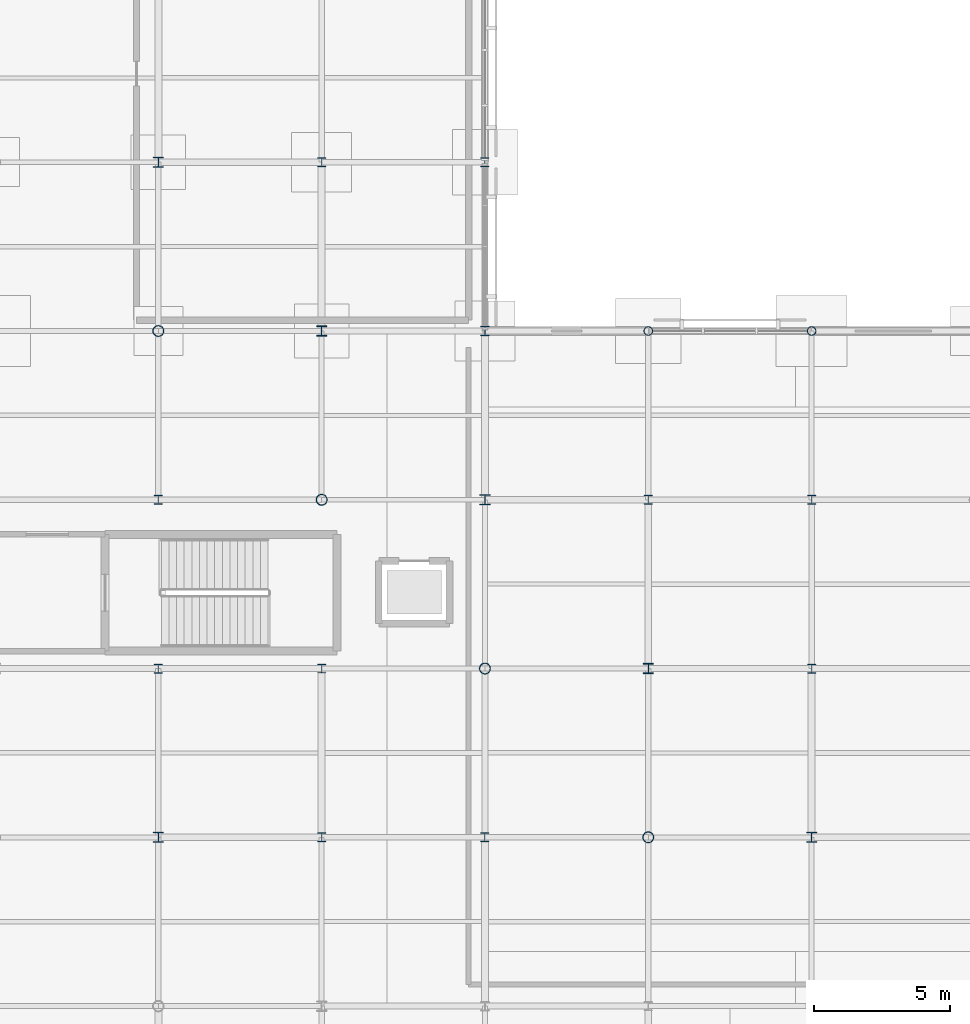
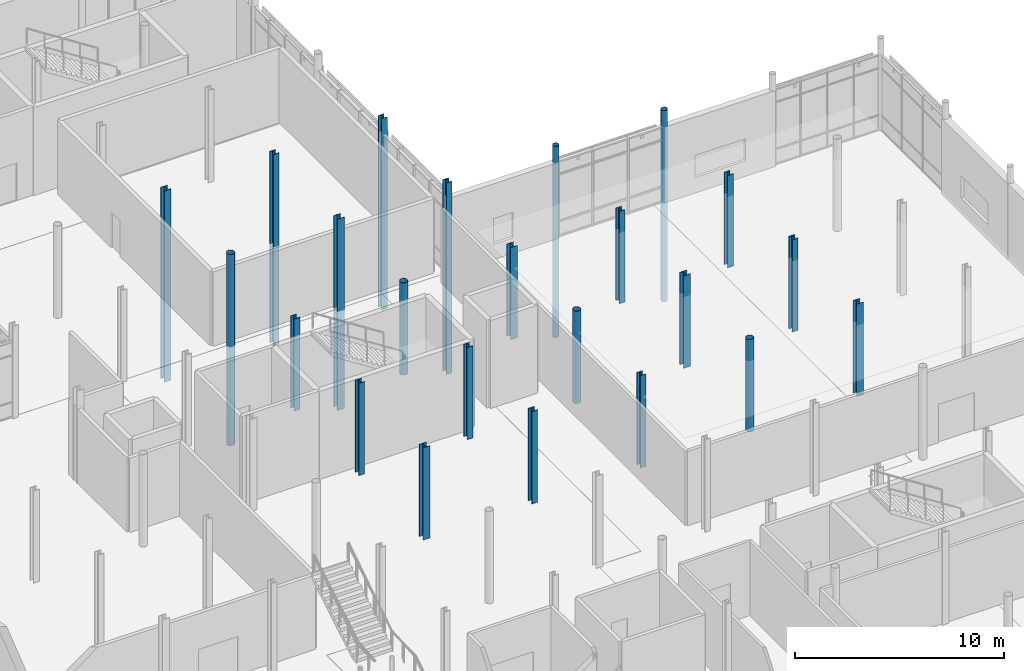
# One storey, part 25 of 98: 23 columns.
"""IFC4 building model written with IfcOpenShell, lengths in metres."""

from ifc_helpers import new_model, si_unit, direction, frame, origin, origin_2d, place, context, subcontext, project, spatial, hollow_circle, i_section, extrude, material, material_profile, profile_set, type_object, element, save


model = new_model("IFC4")

# Units and contexts
model_context = context("Model", 3, precision=1e-05, world=origin(), true_north=direction((0.0, 1.0)))
body_context = subcontext(model_context, "Body", "Model", "MODEL_VIEW")
ifc_project = project(units=[si_unit("LENGTHUNIT", "METRE"), si_unit("AREAUNIT", "SQUARE_METRE"), si_unit("VOLUMEUNIT", "CUBIC_METRE"), si_unit("PLANEANGLEUNIT", "RADIAN"), si_unit("MASSUNIT", "GRAM", prefix="KILO")], contexts=[model_context])

# Site, building, storey
site_placement = place(None, origin())
site = spatial("IfcSite", under=ifc_project, at=site_placement, CompositionType="ELEMENT")
building_placement = place(site_placement, origin())
building = spatial("IfcBuilding", under=site, at=building_placement, Name="Mirzam Square Science Centre", CompositionType="ELEMENT")
storey_placement = place(building_placement, origin())
storey = spatial("IfcBuildingStorey", under=building, at=storey_placement, Name="L00", CompositionType="ELEMENT", Elevation=0.0)

# Columns
ifc_material = material(Name="Steel S355", Category="steel")
ifc_material_profile_1 = material_profile(ifc_material, hollow_circle(Radius=0.161865234375, WallThickness=0.012451171875, at=origin_2d()), Name="323.9x12.5CHS")
ifc_profile_set_1 = profile_set([ifc_material_profile_1], Name="Steel S355")
column_type_1 = type_object("IfcColumnType", Name="COL-CHS324", PredefinedType="COLUMN", material=ifc_profile_set_1)
for number, where, z_axis, x_axis, name in (
    (1, (144.0, 86.800048828125, -5.800048828125), (0.0, 0.0, 1.0), (1.0, 0.0, 0.0), "L00 column G25-15"),
    (2, (150.0, 86.800048828125, -5.800048828125), (0.0, 0.0, 1.0), (1.0, 0.0, 0.0), "L00 column G26-15"),
):
    element("IfcColumn", number, at=place(storey_placement, frame(where, z_axis=z_axis, x_axis=x_axis)), inside=storey, type_object=column_type_1, Name=name, PredefinedType="COLUMN", context=body_context, shape_type="SweptSolid", body=[
        extrude(hollow_circle(Radius=0.161865234375, WallThickness=0.012451171875, at=origin_2d()), origin(), (0.0, 0.0, 1.0), 11.199951171875),
    ])
ifc_material_profile_2 = material_profile(ifc_material, hollow_circle(Radius=0.203125, WallThickness=0.01611328125, at=origin_2d()), Name="406.4x16.0CHS")
ifc_profile_set_2 = profile_set([ifc_material_profile_2], Name="Steel S355")
column_type_2 = type_object("IfcColumnType", Name="COL-CHS406", PredefinedType="COLUMN", material=ifc_profile_set_2)
column_1_placement = place(storey_placement, frame((126.0, 86.800048828125, -5.800048828125), z_axis=(0.0, 0.0, 1.0), x_axis=(1.0, 0.0, 0.0)))
element("IfcColumn", 3, at=column_1_placement, inside=storey, type_object=column_type_2, Name="L00 column G22-15", PredefinedType="COLUMN", context=body_context, shape_type="SweptSolid", body=[
    extrude(hollow_circle(Radius=0.203125, WallThickness=0.01611328125, at=origin_2d()), origin(), (0.0, 0.0, 1.0), 11.199951171875),
])
for number, where, z_axis, x_axis, name in (
    (4, (132.0, 80.60009765625, 0.0), (0.0, 0.0, 1.0), (1.0, 0.0, 0.0), "L00 column G23-14"),
    (5, (138.0, 74.39990234375, 0.0), (0.0, 0.0, 1.0), (1.0, 0.0, 0.0), "L00 column G24-13"),
    (6, (144.0, 68.199951171875, 0.0), (0.0, 0.0, 1.0), (1.0, 0.0, 0.0), "L00 column G25-12"),
):
    element("IfcColumn", number, at=place(storey_placement, frame(where, z_axis=z_axis, x_axis=x_axis)), inside=storey, type_object=column_type_2, Name=name, PredefinedType="COLUMN", context=body_context, shape_type="SweptSolid", body=[
        extrude(hollow_circle(Radius=0.203125, WallThickness=0.01611328125, at=origin_2d()), origin(), (0.0, 0.0, 1.0), 5.39990234375),
    ])
ifc_material_profile_3 = material_profile(ifc_material, i_section(OverallWidth=0.314453125, OverallDepth=0.33984375, WebThickness=0.01904296875, FlangeThickness=0.031494140625, FilletRadius=0.01513671875, at=origin_2d()), Name="305x305x198UC")
ifc_profile_set_3 = profile_set([ifc_material_profile_3], Name="Steel S355")
column_type_3 = type_object("IfcColumnType", Name="COL-UC305B", PredefinedType="COLUMN", material=ifc_profile_set_3)
for number, where, z_axis, x_axis, name in (
    (7, (126.0, 80.60009765625, 0.0), (0.0, 0.0, 1.0), (1.0, 0.0, 0.0), "L00 column G22-14"),
    (8, (132.0, 74.39990234375, 0.0), (0.0, 0.0, 1.0), (1.0, 0.0, 0.0), "L00 column G23-13"),
    (9, (138.0, 68.199951171875, 0.0), (0.0, 0.0, 1.0), (1.0, 0.0, 0.0), "L00 column G24-12"),
):
    element("IfcColumn", number, at=place(storey_placement, frame(where, z_axis=z_axis, x_axis=x_axis)), inside=storey, type_object=column_type_3, Name=name, PredefinedType="COLUMN", context=body_context, shape_type="SweptSolid", body=[
        extrude(i_section(OverallWidth=0.314453125, OverallDepth=0.33984375, WebThickness=0.01904296875, FlangeThickness=0.031494140625, FilletRadius=0.01513671875, at=origin_2d()), origin(), (0.0, 0.0, 1.0), 5.39990234375),
    ])
column_2_placement = place(storey_placement, frame((138.0, 93.0, -5.800048828125), z_axis=(0.0, 0.0, 1.0), x_axis=(1.0, 0.0, 0.0)))
element("IfcColumn", 10, at=column_2_placement, inside=storey, type_object=column_type_3, Name="L00 column G24-16", PredefinedType="COLUMN", context=body_context, shape_type="SweptSolid", body=[
    extrude(i_section(OverallWidth=0.314453125, OverallDepth=0.33984375, WebThickness=0.01904296875, FlangeThickness=0.031494140625, FilletRadius=0.01513671875, at=origin_2d()), origin(), (0.0, 0.0, 1.0), 11.199951171875),
])
column_3_placement = place(storey_placement, frame((150.0, 80.60009765625, 0.0), z_axis=(0.0, 0.0, 1.0), x_axis=(1.0, 0.0, 0.0)))
element("IfcColumn", 11, at=column_3_placement, inside=storey, type_object=column_type_3, Name="L00 column G26-14", PredefinedType="COLUMN", context=body_context, shape_type="SweptSolid", body=[
    extrude(i_section(OverallWidth=0.314453125, OverallDepth=0.33984375, WebThickness=0.01904296875, FlangeThickness=0.031494140625, FilletRadius=0.01513671875, at=origin_2d()), origin(), (0.0, 0.0, 1.0), 5.39990234375),
])
ifc_material_profile_4 = material_profile(ifc_material, i_section(OverallWidth=0.318359375, OverallDepth=0.3525390625, WebThickness=0.02294921875, FlangeThickness=0.03759765625, FilletRadius=0.01513671875, at=origin_2d()), Name="305x305x240UC")
ifc_profile_set_4 = profile_set([ifc_material_profile_4], Name="Steel S355")
column_type_4 = type_object("IfcColumnType", Name="COL-UC305C", PredefinedType="COLUMN", material=ifc_profile_set_4)
for number, where, z_axis, x_axis, name in (
    (12, (126.0, 74.39990234375, 0.0), (0.0, 0.0, 1.0), (1.0, 0.0, 0.0), "L00 column G22-13"),
    (13, (132.0, 68.199951171875, 0.0), (0.0, 0.0, 1.0), (1.0, 0.0, 0.0), "L00 column G23-12"),
):
    element("IfcColumn", number, at=place(storey_placement, frame(where, z_axis=z_axis, x_axis=x_axis)), inside=storey, type_object=column_type_4, Name=name, PredefinedType="COLUMN", context=body_context, shape_type="SweptSolid", body=[
        extrude(i_section(OverallWidth=0.318359375, OverallDepth=0.3525390625, WebThickness=0.02294921875, FlangeThickness=0.03759765625, FilletRadius=0.01513671875, at=origin_2d()), origin(), (0.0, 0.0, 1.0), 5.39990234375),
    ])
for number, where, z_axis, x_axis, name in (
    (14, (132.0, 93.0, -5.800048828125), (0.0, 0.0, 1.0), (1.0, 0.0, 0.0), "L00 column G23-16"),
    (15, (138.0, 86.800048828125, -5.800048828125), (0.0, 0.0, 1.0), (1.0, 0.0, 0.0), "L00 column G24-15"),
):
    element("IfcColumn", number, at=place(storey_placement, frame(where, z_axis=z_axis, x_axis=x_axis)), inside=storey, type_object=column_type_4, Name=name, PredefinedType="COLUMN", context=body_context, shape_type="SweptSolid", body=[
        extrude(i_section(OverallWidth=0.318359375, OverallDepth=0.3525390625, WebThickness=0.02294921875, FlangeThickness=0.03759765625, FilletRadius=0.01513671875, at=origin_2d()), origin(), (0.0, 0.0, 1.0), 11.199951171875),
    ])
for number, where, z_axis, x_axis, name in (
    (16, (144.0, 80.60009765625, 0.0), (0.0, 0.0, 1.0), (1.0, 0.0, 0.0), "L00 column G25-14"),
    (17, (150.0, 74.39990234375, 0.0), (0.0, 0.0, 1.0), (1.0, 0.0, 0.0), "L00 column G26-13"),
):
    element("IfcColumn", number, at=place(storey_placement, frame(where, z_axis=z_axis, x_axis=x_axis)), inside=storey, type_object=column_type_4, Name=name, PredefinedType="COLUMN", context=body_context, shape_type="SweptSolid", body=[
        extrude(i_section(OverallWidth=0.318359375, OverallDepth=0.3525390625, WebThickness=0.02294921875, FlangeThickness=0.03759765625, FilletRadius=0.01513671875, at=origin_2d()), origin(), (0.0, 0.0, 1.0), 5.39990234375),
    ])
ifc_material_profile_5 = material_profile(ifc_material, i_section(OverallWidth=0.374755859375, OverallDepth=0.37451171875, WebThickness=0.0166015625, FlangeThickness=0.027099609375, FilletRadius=0.01513671875, at=origin_2d()), Name="356x368x202UC")
ifc_profile_set_5 = profile_set([ifc_material_profile_5], Name="Steel S355")
column_type_5 = type_object("IfcColumnType", Name="COL-UC356A", PredefinedType="COLUMN", material=ifc_profile_set_5)
column_4_placement = place(storey_placement, frame((126.0, 68.199951171875, 0.0), z_axis=(0.0, 0.0, 1.0), x_axis=(1.0, 0.0, 0.0)))
element("IfcColumn", 18, at=column_4_placement, inside=storey, type_object=column_type_5, Name="L00 column G22-12", PredefinedType="COLUMN", context=body_context, shape_type="SweptSolid", body=[
    extrude(i_section(OverallWidth=0.374755859375, OverallDepth=0.37451171875, WebThickness=0.0166015625, FlangeThickness=0.027099609375, FilletRadius=0.01513671875, at=origin_2d()), origin(), (0.0, 0.0, 1.0), 5.39990234375),
])
for number, where, z_axis, x_axis, name in (
    (19, (126.0, 93.0, -5.800048828125), (0.0, 0.0, 1.0), (1.0, 0.0, 0.0), "L00 column G22-16"),
    (20, (132.0, 86.800048828125, -5.800048828125), (0.0, 0.0, 1.0), (1.0, 0.0, 0.0), "L00 column G23-15"),
):
    element("IfcColumn", number, at=place(storey_placement, frame(where, z_axis=z_axis, x_axis=x_axis)), inside=storey, type_object=column_type_5, Name=name, PredefinedType="COLUMN", context=body_context, shape_type="SweptSolid", body=[
        extrude(i_section(OverallWidth=0.374755859375, OverallDepth=0.37451171875, WebThickness=0.0166015625, FlangeThickness=0.027099609375, FilletRadius=0.01513671875, at=origin_2d()), origin(), (0.0, 0.0, 1.0), 11.199951171875),
    ])
for number, where, z_axis, x_axis, name in (
    (21, (138.0, 80.60009765625, 0.0), (0.0, 0.0, 1.0), (1.0, 0.0, 0.0), "L00 column G24-14"),
    (22, (144.0, 74.39990234375, 0.0), (0.0, 0.0, 1.0), (1.0, 0.0, 0.0), "L00 column G25-13"),
    (23, (150.0, 68.199951171875, 0.0), (0.0, 0.0, 1.0), (1.0, 0.0, 0.0), "L00 column G26-12"),
):
    element("IfcColumn", number, at=place(storey_placement, frame(where, z_axis=z_axis, x_axis=x_axis)), inside=storey, type_object=column_type_5, Name=name, PredefinedType="COLUMN", context=body_context, shape_type="SweptSolid", body=[
        extrude(i_section(OverallWidth=0.374755859375, OverallDepth=0.37451171875, WebThickness=0.0166015625, FlangeThickness=0.027099609375, FilletRadius=0.01513671875, at=origin_2d()), origin(), (0.0, 0.0, 1.0), 5.39990234375),
    ])

save(model, "model.ifc")
